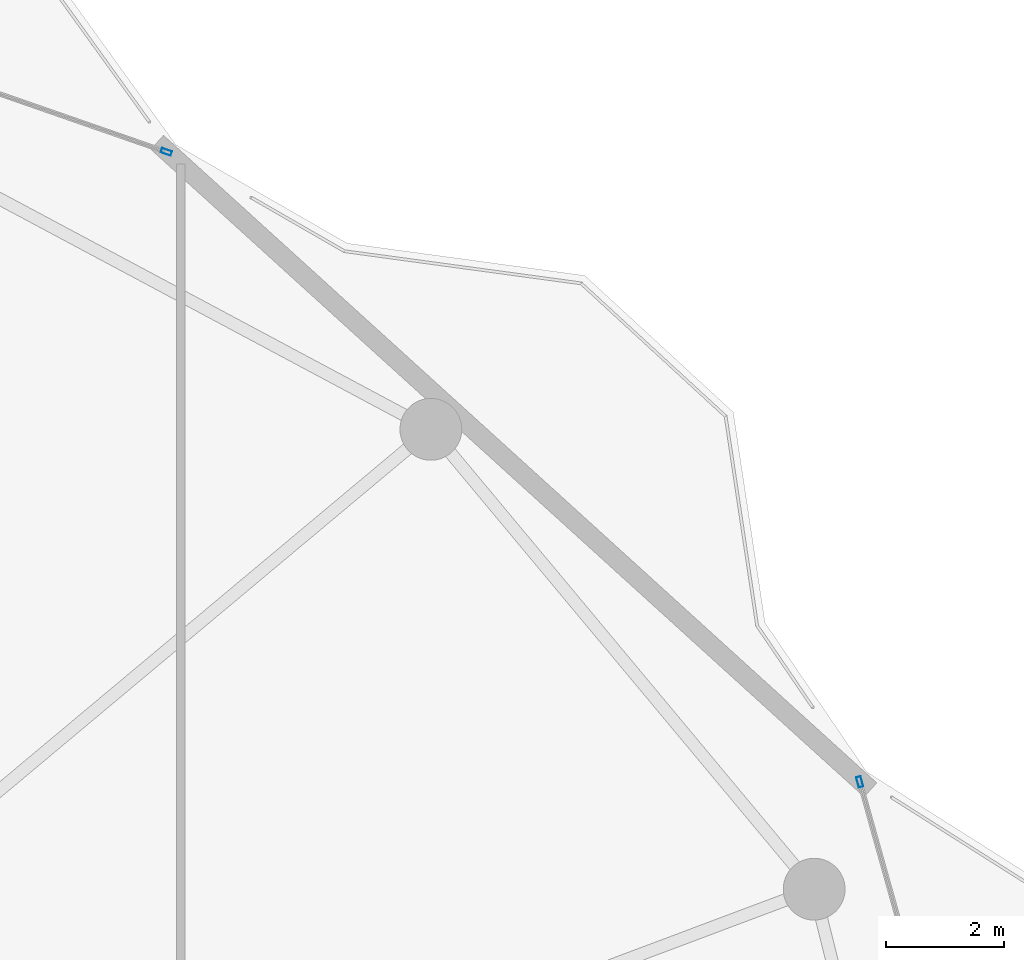
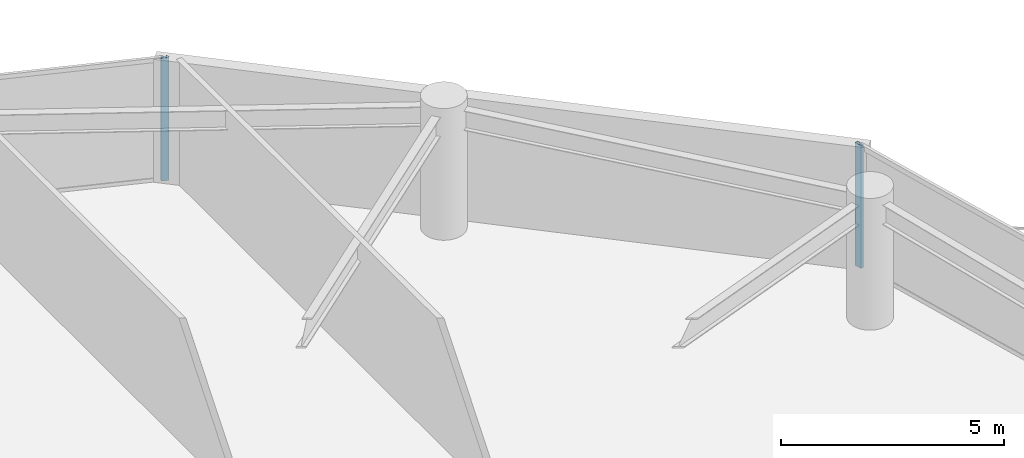
# One storey, part 21 of 29: 2 members, 2 elements without a shape of their own.
"""IFC4 building model written with IfcOpenShell, lengths in metres."""

from ifc_helpers import new_model, si_unit, direction, frame, origin, origin_2d, place, context, subcontext, project, spatial, hollow_rectangle, extrude, material, layer, layer_set, material_profile, profile_set, type_object, element, aggregate, save


model = new_model("IFC4")

# Units and contexts
model_context = context("Model", 3, precision=1e-05, world=origin(), true_north=direction((0.0, 1.0)))
body_context = subcontext(model_context, "Body", "Model", "MODEL_VIEW")
ifc_project = project(units=[si_unit("LENGTHUNIT", "METRE"), si_unit("AREAUNIT", "SQUARE_METRE"), si_unit("VOLUMEUNIT", "CUBIC_METRE"), si_unit("PLANEANGLEUNIT", "RADIAN"), si_unit("MASSUNIT", "GRAM", prefix="KILO")], contexts=[model_context])

# Site, building, storey
site_placement = place(None, origin())
site = spatial("IfcSite", under=ifc_project, at=site_placement, CompositionType="ELEMENT")
building_placement = place(site_placement, origin())
building = spatial("IfcBuilding", under=site, at=building_placement, Name="Kazevale Care Tower and Concert Hall", CompositionType="ELEMENT")
storey_placement = place(building_placement, frame((0.0, 0.0, 199.199951171875)))
storey = spatial("IfcBuildingStorey", under=building, at=storey_placement, Name="L52", CompositionType="ELEMENT", Elevation=199.199951171875)

# Curtain wall, member
ifc_material_1 = material(Name="Aluminium 6063-T6 and Low-E Glass", Category="aluminium")
ifc_layer_1 = layer(ifc_material_1, 0.179931640625)
ifc_layer_set_1 = layer_set([ifc_layer_1], Name="Aluminium 6063-T6 and Low-E Glass")
curtain_wall_type_1 = type_object("IfcCurtainWallType", Name="Convex Checkerboard Finned Curtain Wall CW-2", PredefinedType="NOTDEFINED", material=ifc_layer_set_1)
curtain_wall_1_placement = place(storey_placement, origin())
curtain_wall_1 = element("IfcCurtainWall", 1, at=curtain_wall_1_placement, inside=storey, type_object=curtain_wall_type_1, Name="cw:L52:f16", PredefinedType="NOTDEFINED")
ifc_material_2 = material(Name="Aluminium 6063-T6", Category="aluminium")
ifc_material_profile_1 = material_profile(ifc_material_2, hollow_rectangle(XDim=0.080078125, YDim=0.179931640625, WallThickness=0.0048828125, at=origin_2d()), Name="ALU80x180x5")
ifc_profile_set_1 = profile_set([ifc_material_profile_1], Name="Aluminium 6063-T6")
member_type_1 = type_object("IfcMemberType", Name="CW-2 Mullion ALU80x180x5", PredefinedType="MULLION", material=ifc_profile_set_1)
member_1_placement = place(storey_placement, frame((61.75732421875, 59.72216796875, 0.0), z_axis=(0.0, 0.0, 1.0), x_axis=(0.328583704497, 0.94447485363, 0.0)))
member_1 = element("IfcMember", 2, at=member_1_placement, type_object=member_type_1, Name="CW-2 mullion 2", PredefinedType="MULLION", context=body_context, shape_type="SweptSolid", body=[
    extrude(hollow_rectangle(XDim=0.080078125, YDim=0.179931640625, WallThickness=0.0048828125, at=origin_2d()), origin(), (0.0, 0.0, 1.0), 3.360107421875),
])
aggregate(curtain_wall_1, [member_1])

ifc_layer_2 = layer(ifc_material_1, 0.179931640625)
ifc_layer_set_2 = layer_set([ifc_layer_2], Name="Aluminium 6063-T6 and Low-E Glass")
curtain_wall_type_2 = type_object("IfcCurtainWallType", Name="Waist & Upper Residential Curtain Wall CW-4", PredefinedType="NOTDEFINED", material=ifc_layer_set_2)
curtain_wall_2_placement = place(storey_placement, origin())
curtain_wall_2 = element("IfcCurtainWall", 3, at=curtain_wall_2_placement, inside=storey, type_object=curtain_wall_type_2, Name="cw:L52:f18", PredefinedType="NOTDEFINED")
ifc_material_profile_2 = material_profile(ifc_material_2, hollow_rectangle(XDim=0.080078125, YDim=0.179931640625, WallThickness=0.0048828125, at=origin_2d()), Name="ALU80x180x5")
ifc_profile_set_2 = profile_set([ifc_material_profile_2], Name="Aluminium 6063-T6")
member_type_2 = type_object("IfcMemberType", Name="CW-4 Mullion ALU80x180x5", PredefinedType="MULLION", material=ifc_profile_set_2)
member_2_placement = place(storey_placement, frame((73.53369140625, 49.0234375, 0.0), z_axis=(0.0, 0.0, 1.0), x_axis=(0.962972156211, 0.269600864915, 0.0)))
member_2 = element("IfcMember", 4, at=member_2_placement, type_object=member_type_2, Name="CW-4 mullion 1", PredefinedType="MULLION", context=body_context, shape_type="SweptSolid", body=[
    extrude(hollow_rectangle(XDim=0.080078125, YDim=0.179931640625, WallThickness=0.0048828125, at=origin_2d()), origin(), (0.0, 0.0, 1.0), 3.360107421875),
])
aggregate(curtain_wall_2, [member_2])

save(model, "model.ifc")
